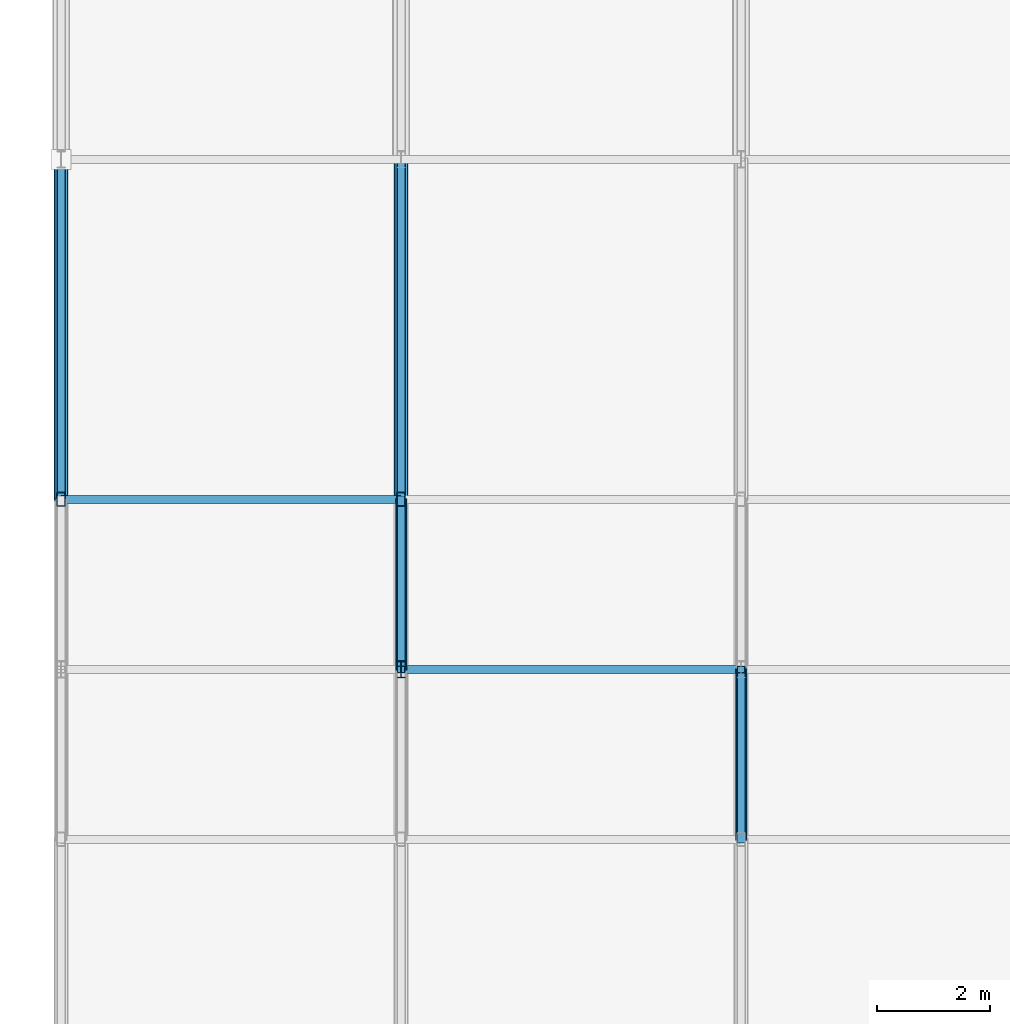
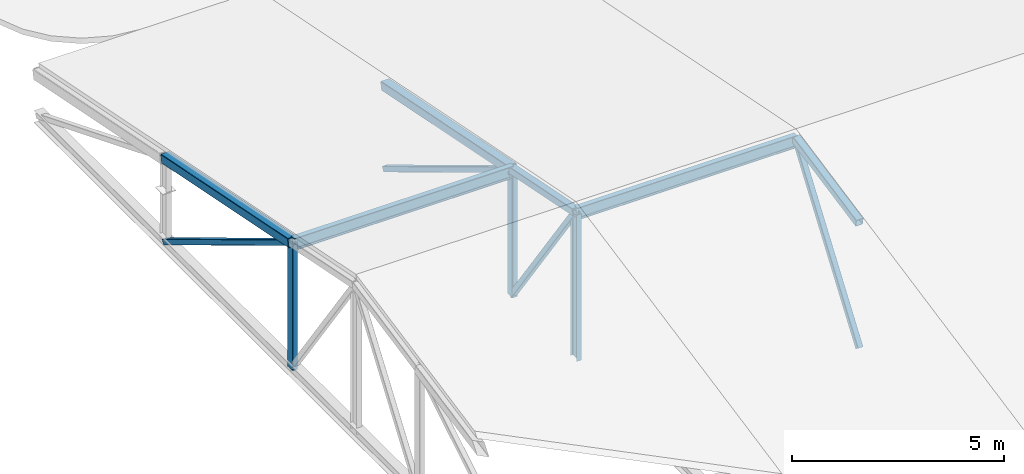
# One storey, part 25 of 83: 9 members, 4 beams.
"""IFC4 building model written with IfcOpenShell, lengths in metres."""

from ifc_helpers import new_model, si_unit, direction, frame, origin, origin_2d, place, context, subcontext, project, spatial, hollow_rectangle, i_section, extrude, material, material_profile, profile_set, type_object, element, save


model = new_model("IFC4")

# Units and contexts
model_context = context("Model", 3, precision=1e-05, world=origin(), true_north=direction((0.0, 1.0)))
body_context = subcontext(model_context, "Body", "Model", "MODEL_VIEW")
ifc_project = project(units=[si_unit("LENGTHUNIT", "METRE"), si_unit("AREAUNIT", "SQUARE_METRE"), si_unit("VOLUMEUNIT", "CUBIC_METRE"), si_unit("PLANEANGLEUNIT", "RADIAN"), si_unit("MASSUNIT", "GRAM", prefix="KILO")], contexts=[model_context])

# Site, building, storey
site_placement = place(None, origin())
site = spatial("IfcSite", under=ifc_project, at=site_placement, CompositionType="ELEMENT")
building_placement = place(site_placement, origin())
building = spatial("IfcBuilding", under=site, at=building_placement, Name="Varnakota Square Police Headquarters", CompositionType="ELEMENT")
storey_placement = place(building_placement, frame((0.0, 0.0, 18.0)))
storey = spatial("IfcBuildingStorey", under=building, at=storey_placement, Name="L04", CompositionType="ELEMENT", Elevation=18.0)

# Beams
ifc_material = material(Name="Steel IS 2062 Grade 350", Category="steel")
ifc_material_profile_1 = material_profile(ifc_material, hollow_rectangle(XDim=0.199951171875, YDim=0.199951171875, WallThickness=0.010009765625, InnerFilletRadius=0.010009765625, OuterFilletRadius=0.02001953125, at=origin_2d()), Name="SHS 200x200x10")
ifc_profile_set_1 = profile_set([ifc_material_profile_1], Name="Steel IS 2062 Grade 350")
beam_type_1 = type_object("IfcBeamType", Name="BM-TR-SHS200", PredefinedType="BEAM", material=ifc_profile_set_1)
for number, where, z_axis, x_axis, name in (
    (1, (12.0, 90.0, 2.719970703125), (0.0, 0.980589882373, -0.196070096109), (-1.0, 0.0, 0.0), "ROOF TRUSS top chord T2-P4"),
    (2, (18.0, 87.0, 2.1201171875), (0.0, 0.980589882373, 0.196070096109), (-1.0, 0.0, 0.0), "ROOF TRUSS top chord T3-P3"),
):
    element("IfcBeam", number, at=place(storey_placement, frame(where, z_axis=z_axis, x_axis=x_axis)), inside=storey, type_object=beam_type_1, Name=name, PredefinedType="BEAM", context=body_context, shape_type="SweptSolid", body=[
        extrude(hollow_rectangle(XDim=0.199951171875, YDim=0.199951171875, WallThickness=0.010009765625, InnerFilletRadius=0.010009765625, OuterFilletRadius=0.02001953125, at=origin_2d()), origin(), (0.0, 0.0, 1.0), 3.059326171875),
    ])
ifc_material_profile_2 = material_profile(ifc_material, hollow_rectangle(XDim=0.25, YDim=0.25, WallThickness=0.011962890625, InnerFilletRadius=0.011962890625, OuterFilletRadius=0.02392578125, at=origin_2d()), Name="SHS 250x250x12")
ifc_profile_set_2 = profile_set([ifc_material_profile_2], Name="Steel IS 2062 Grade 350")
beam_type_2 = type_object("IfcBeamType", Name="BM-TR-SHS250", PredefinedType="BEAM", material=ifc_profile_set_2)
for number, where, z_axis, x_axis, name in (
    (3, (6.0, 93.0, 2.1201171875), (0.0, 0.980574536798, -0.196146827104), (-1.0, 0.0, 0.0), "ROOF TRUSS top chord T1-P5"),
    (4, (12.0, 93.0, 2.1201171875), (0.0, 0.980574536798, -0.196146827104), (-1.0, 0.0, 0.0), "ROOF TRUSS top chord T2-P5"),
):
    element("IfcBeam", number, at=place(storey_placement, frame(where, z_axis=z_axis, x_axis=x_axis)), inside=storey, type_object=beam_type_2, Name=name, PredefinedType="BEAM", context=body_context, shape_type="SweptSolid", body=[
        extrude(hollow_rectangle(XDim=0.25, YDim=0.25, WallThickness=0.011962890625, InnerFilletRadius=0.011962890625, OuterFilletRadius=0.02392578125, at=origin_2d()), origin(), (0.0, 0.0, 1.0), 6.118896484375),
    ])

# Members
ifc_material_profile_3 = material_profile(ifc_material, hollow_rectangle(XDim=0.14990234375, YDim=0.14990234375, WallThickness=0.008056640625, InnerFilletRadius=0.008056640625, OuterFilletRadius=0.01611328125, at=origin_2d()), Name="SHS 150x150x8")
ifc_profile_set_3 = profile_set([ifc_material_profile_3], Name="Steel IS 2062 Grade 350")
member_type_1 = type_object("IfcMemberType", Name="MEM-BR-SHS150", PredefinedType="BRACE", material=ifc_profile_set_3)
member_1_placement = place(storey_placement, frame((6.0, 93.0, 2.1201171875), z_axis=(0.0, 0.856223797044, -0.516605080671), x_axis=(-1.0, 0.0, 0.0)))
element("IfcMember", 5, at=member_1_placement, inside=storey, type_object=member_type_1, Name="ROOF TRUSS diagonal web T1-P5", PredefinedType="BRACE", context=body_context, shape_type="SweptSolid", body=[
    extrude(hollow_rectangle(XDim=0.14990234375, YDim=0.14990234375, WallThickness=0.008056640625, InnerFilletRadius=0.008056640625, OuterFilletRadius=0.01611328125, at=origin_2d()), origin(), (0.0, 0.0, 1.0), 7.007568359375),
])
member_2_placement = place(storey_placement, frame((12.0, 90.0, 2.719970703125), z_axis=(0.0, 0.579412433141, -0.815034497627), x_axis=(-1.0, 0.0, 0.0)))
element("IfcMember", 6, at=member_2_placement, inside=storey, type_object=member_type_1, Name="ROOF TRUSS diagonal web T2-P4", PredefinedType="BRACE", context=body_context, shape_type="SweptSolid", body=[
    extrude(hollow_rectangle(XDim=0.14990234375, YDim=0.14990234375, WallThickness=0.008056640625, InnerFilletRadius=0.008056640625, OuterFilletRadius=0.01611328125, at=origin_2d()), origin(), (0.0, 0.0, 1.0), 5.177734375),
])
member_3_placement = place(storey_placement, frame((12.0, 93.0, 2.1201171875), z_axis=(0.0, 0.856223797044, -0.516605080671), x_axis=(-1.0, 0.0, 0.0)))
element("IfcMember", 7, at=member_3_placement, inside=storey, type_object=member_type_1, Name="ROOF TRUSS diagonal web T2-P5", PredefinedType="BRACE", context=body_context, shape_type="SweptSolid", body=[
    extrude(hollow_rectangle(XDim=0.14990234375, YDim=0.14990234375, WallThickness=0.008056640625, InnerFilletRadius=0.008056640625, OuterFilletRadius=0.01611328125, at=origin_2d()), origin(), (0.0, 0.0, 1.0), 7.007568359375),
])
member_4_placement = place(storey_placement, frame((18.0, 87.0, -1.5), z_axis=(0.0, 0.579412433141, 0.815034497627), x_axis=(-1.0, 0.0, 0.0)))
element("IfcMember", 8, at=member_4_placement, inside=storey, type_object=member_type_1, Name="ROOF TRUSS diagonal web T3-P3", PredefinedType="BRACE", context=body_context, shape_type="SweptSolid", body=[
    extrude(hollow_rectangle(XDim=0.14990234375, YDim=0.14990234375, WallThickness=0.008056640625, InnerFilletRadius=0.008056640625, OuterFilletRadius=0.01611328125, at=origin_2d()), origin(), (0.0, 0.0, 1.0), 5.177734375),
])
ifc_material_profile_4 = material_profile(ifc_material, i_section(OverallWidth=0.139892578125, OverallDepth=0.35009765625, WebThickness=0.008056640625, FlangeThickness=0.01416015625, FilletRadius=0.013916015625, at=origin_2d()), Name="ISMB 350")
ifc_profile_set_4 = profile_set([ifc_material_profile_4], Name="Steel IS 2062 Grade 350")
member_type_2 = type_object("IfcMemberType", Name="MEM-PUR-ISMB350", PredefinedType="PURLIN", material=ifc_profile_set_4)
for number, where, z_axis, x_axis, name in (
    (9, (6.0, 93.0, 2.074951171875), (1.0, 0.0, 0.0), (0.0, 1.0, 0.0), "Tactical hall purlin B1-Y93"),
    (10, (12.0, 90.0, 2.675048828125), (1.0, 0.0, 0.0), (0.0, 1.0, 0.0), "Tactical hall purlin B2-Y90"),
):
    element("IfcMember", number, at=place(storey_placement, frame(where, z_axis=z_axis, x_axis=x_axis)), inside=storey, type_object=member_type_2, Name=name, PredefinedType="PURLIN", context=body_context, shape_type="SweptSolid", body=[
        extrude(i_section(OverallWidth=0.139892578125, OverallDepth=0.35009765625, WebThickness=0.008056640625, FlangeThickness=0.01416015625, FilletRadius=0.013916015625, at=origin_2d()), origin(), (0.0, 0.0, 1.0), 6.0),
    ])
ifc_material_profile_5 = material_profile(ifc_material, i_section(OverallWidth=0.139892578125, OverallDepth=0.300048828125, WebThickness=0.0078125, FlangeThickness=0.01318359375, FilletRadius=0.013916015625, at=origin_2d()), Name="ISMB 300")
ifc_profile_set_5 = profile_set([ifc_material_profile_5], Name="Steel IS 2062 Grade 350")
member_type_3 = type_object("IfcMemberType", Name="MEM-STR-ISMB300", PredefinedType="STRUT", material=ifc_profile_set_5)
member_5_placement = place(storey_placement, frame((12.0, 90.0, -1.5), z_axis=(0.0, 0.0, 1.0), x_axis=(1.0, 0.0, 0.0)))
element("IfcMember", 11, at=member_5_placement, inside=storey, type_object=member_type_3, Name="ROOF TRUSS vertical strut T2-V3", PredefinedType="STRUT", context=body_context, shape_type="SweptSolid", body=[
    extrude(i_section(OverallWidth=0.139892578125, OverallDepth=0.300048828125, WebThickness=0.0078125, FlangeThickness=0.01318359375, FilletRadius=0.013916015625, at=origin_2d()), origin(), (0.0, 0.0, 1.0), 4.219970703125),
])
ifc_material_profile_6 = material_profile(ifc_material, hollow_rectangle(XDim=0.14990234375, YDim=0.25, WallThickness=0.010009765625, InnerFilletRadius=0.010009765625, OuterFilletRadius=0.02001953125, at=origin_2d()), Name="RHS 250x150x10")
ifc_profile_set_6 = profile_set([ifc_material_profile_6], Name="Steel IS 2062 Grade 350")
member_type_4 = type_object("IfcMemberType", Name="MEM-STR-RHS250", PredefinedType="STRUT", material=ifc_profile_set_6)
for number, where, z_axis, x_axis, name in (
    (12, (6.0, 93.0, -1.5), (0.0, 0.0, 1.0), (1.0, 0.0, 0.0), "ROOF TRUSS vertical strut T1-V4"),
    (13, (12.0, 93.0, -1.5), (0.0, 0.0, 1.0), (1.0, 0.0, 0.0), "ROOF TRUSS vertical strut T2-V4"),
):
    element("IfcMember", number, at=place(storey_placement, frame(where, z_axis=z_axis, x_axis=x_axis)), inside=storey, type_object=member_type_4, Name=name, PredefinedType="STRUT", context=body_context, shape_type="SweptSolid", body=[
        extrude(hollow_rectangle(XDim=0.14990234375, YDim=0.25, WallThickness=0.010009765625, InnerFilletRadius=0.010009765625, OuterFilletRadius=0.02001953125, at=origin_2d()), origin(), (0.0, 0.0, 1.0), 3.6201171875),
    ])

save(model, "model.ifc")
